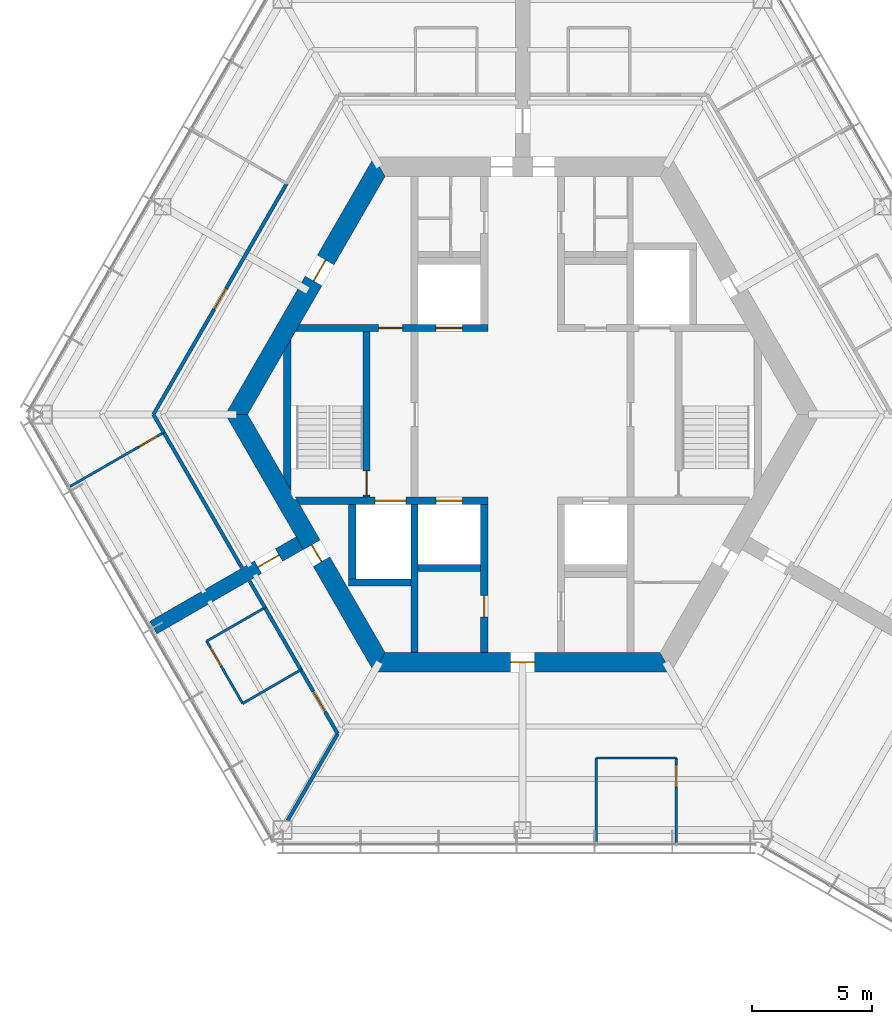
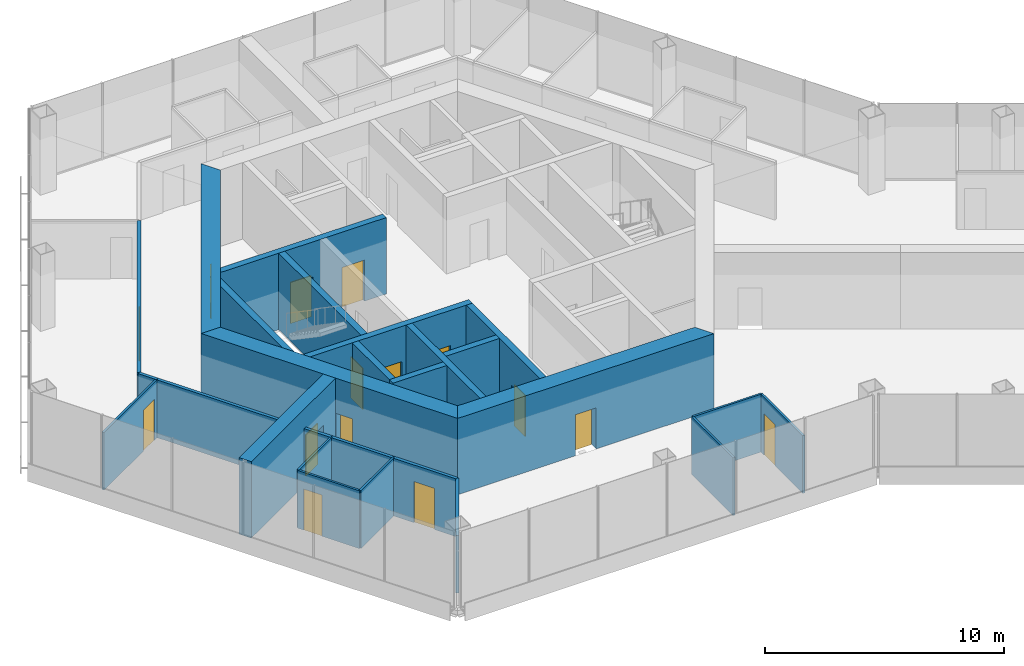
# One storey, part 10 of 15: 27 walls, 15 doors, 15 openings.
"""IFC4 building model written with IfcOpenShell, lengths in metres."""

from ifc_helpers import new_model, si_unit, direction, frame, frame_2d, origin, place, context, subcontext, project, spatial, polyline, rectangle, outline, extrude, material, layer, layer_set, type_object, element, fill, save


model = new_model("IFC4")

# Units and contexts
model_context = context("Model", 3, precision=1e-05, world=origin(), true_north=direction((0.0, 1.0)))
body_context = subcontext(model_context, "Body", "Model", "MODEL_VIEW")
ifc_project = project(units=[si_unit("LENGTHUNIT", "METRE"), si_unit("AREAUNIT", "SQUARE_METRE"), si_unit("VOLUMEUNIT", "CUBIC_METRE"), si_unit("PLANEANGLEUNIT", "RADIAN"), si_unit("MASSUNIT", "GRAM", prefix="KILO")], contexts=[model_context])

# Site, building, storey
site_placement = place(None, origin())
site = spatial("IfcSite", under=ifc_project, at=site_placement, CompositionType="ELEMENT")
building_placement = place(site_placement, origin())
building = spatial("IfcBuilding", under=site, at=building_placement, Name="Kasaneha Research Tower", CompositionType="ELEMENT")
storey_placement = place(building_placement, frame((0.0, 0.0, 236.199951171875)))
storey = spatial("IfcBuildingStorey", under=building, at=storey_placement, Name="L59", CompositionType="ELEMENT", Elevation=236.199951171875)

# Wall, openings, doors
ifc_material_1 = material(Name="Concrete Fc60", Category="concrete")
ifc_layer_1 = layer(ifc_material_1, 0.300048828125)
ifc_layer_set_1 = layer_set([ifc_layer_1], Name="Core internal wall 300 Fc60")
wall_type_1 = type_object("IfcWallType", Name="Core internal wall 300 Fc60", PredefinedType="SHEAR", material=ifc_layer_set_1)
wall_1_placement = place(storey_placement, frame((-9.3818359375, 3.60009765625, 0.0), z_axis=(0.0, 0.0, 1.0), x_axis=(1.0, 0.0, 0.0)))
wall_1 = element("IfcWall", 1, at=wall_1_placement, inside=storey, type_object=wall_type_1, Name="Core wall W1W L59", PredefinedType="SHEAR", context=body_context, shape_type="SweptSolid", body=[
    extrude(outline(polyline([(-0.086669921875, -0.14990234375), (3.3818359375, -0.14990234375), (4.3818359375, -0.14990234375), (5.781982421875, -0.14990234375), (6.882080078125, -0.14990234375), (7.931884765625, -0.14990234375), (7.931884765625, 0.14990234375), (6.882080078125, 0.14990234375), (5.781982421875, 0.14990234375), (4.3818359375, 0.14990234375), (3.3818359375, 0.14990234375), (0.086669921875, 0.14990234375), (-0.086669921875, -0.14990234375)])), origin(), (0.0, 0.0, 1.0), 3.900146484375),
])
opening_1_placement = place(wall_1_placement, frame((3.3818359375, 0.0, 0.0)))
opening_1 = element("IfcOpeningElement", 2, at=opening_1_placement, cuts=wall_1, Name="Opening L59-D12", PredefinedType="OPENING", context=body_context, shape_type="SweptSolid", body=[
    extrude(rectangle(XDim=1.0, YDim=2.10009765625, at=frame_2d((0.5, 1.050048828125))), frame((0.0, 0.16015625, 0.0), z_axis=(0.0, -1.0, 0.0), x_axis=(1.0, 0.0, 0.0)), (0.0, 0.0, 1.0), 0.320068359375),
])
opening_2_placement = place(wall_1_placement, frame((5.781982421875, 0.0, 0.0)))
opening_2 = element("IfcOpeningElement", 3, at=opening_2_placement, cuts=wall_1, Name="Opening LD-LH2-L59", PredefinedType="OPENING", context=body_context, shape_type="SweptSolid", body=[
    extrude(rectangle(XDim=1.10009765625, YDim=2.10009765625, at=frame_2d((0.550048828125, 1.050048828125))), frame((0.0, 0.16015625, 0.0), z_axis=(0.0, -1.0, 0.0), x_axis=(1.0, 0.0, 0.0)), (0.0, 0.0, 1.0), 0.320068359375),
])
ifc_material_2 = material(Name="Steel", Category="steel")
door_type_1 = type_object("IfcDoorType", Name="Lift landing door 1100x2100", OperationType="DOUBLE_DOOR_SLIDING", PredefinedType="DOOR", material=ifc_material_2)
door_1_placement = place(opening_2_placement, origin())
door_1 = element("IfcDoor", 4, at=door_1_placement, inside=storey, type_object=door_type_1, Name="Landing door LH2 LD-LH2-L59", OperationType="DOUBLE_DOOR_SLIDING", OverallHeight=2.10009765625, OverallWidth=1.10009765625, PredefinedType="DOOR", context=body_context, shape_type="SweptSolid", body=[
    extrude(rectangle(XDim=1.10009765625, YDim=2.10009765625, at=frame_2d((0.550048828125, 1.050048828125))), frame((0.0, 0.02490234375, 0.0), z_axis=(0.0, -1.0, 0.0), x_axis=(1.0, 0.0, 0.0)), (0.0, 0.0, 1.0), 0.050048828125),
])
fill(opening_2, door_1)
ifc_material_3 = material(Name="Steel", Category="steel")
door_type_2 = type_object("IfcDoorType", Name="Specified fire door FD60 1000x2100", OperationType="NOTDEFINED", PredefinedType="DOOR", material=ifc_material_3)
door_2_placement = place(opening_1_placement, origin())
door_2 = element("IfcDoor", 5, at=door_2_placement, inside=storey, type_object=door_type_2, Name="Vestibule to lobby door L59-D12", OperationType="SINGLE_SWING_LEFT", OverallHeight=2.10009765625, OverallWidth=1.0, PredefinedType="DOOR", context=body_context, shape_type="SweptSolid", body=[
    extrude(rectangle(XDim=1.0, YDim=2.10009765625, at=frame_2d((0.5, 1.050048828125))), frame((0.0, 0.02490234375, 0.0), z_axis=(0.0, -1.0, 0.0), x_axis=(1.0, 0.0, 0.0)), (0.0, 0.0, 1.0), 0.050048828125),
])
fill(opening_1, door_2)

wall_2_placement = place(storey_placement, frame((-9.3818359375, -3.60009765625, 0.0), z_axis=(0.0, 0.0, 1.0), x_axis=(1.0, 0.0, 0.0)))
wall_2 = element("IfcWall", 6, at=wall_2_placement, inside=storey, type_object=wall_type_1, Name="Core wall W2W L59", PredefinedType="SHEAR", context=body_context, shape_type="SweptSolid", body=[
    extrude(outline(polyline([(0.086669921875, -0.14990234375), (3.23193359375, -0.14990234375), (4.531982421875, -0.14990234375), (5.781982421875, -0.14990234375), (6.882080078125, -0.14990234375), (7.931884765625, -0.14990234375), (7.931884765625, 0.14990234375), (6.882080078125, 0.14990234375), (5.781982421875, 0.14990234375), (4.531982421875, 0.14990234375), (3.23193359375, 0.14990234375), (-0.086669921875, 0.14990234375), (0.086669921875, -0.14990234375)])), origin(), (0.0, 0.0, 1.0), 3.900146484375),
])
opening_3_placement = place(wall_2_placement, frame((5.781982421875, 0.0, 0.0)))
opening_3 = element("IfcOpeningElement", 7, at=opening_3_placement, cuts=wall_2, Name="Opening LD-LH1-L59", PredefinedType="OPENING", context=body_context, shape_type="SweptSolid", body=[
    extrude(rectangle(XDim=1.10009765625, YDim=2.10009765625, at=frame_2d((0.550048828125, 1.050048828125))), frame((0.0, 0.16015625, 0.0), z_axis=(0.0, -1.0, 0.0), x_axis=(1.0, 0.0, 0.0)), (0.0, 0.0, 1.0), 0.320068359375),
])
opening_4_placement = place(wall_2_placement, frame((3.23193359375, 0.0, 0.0)))
opening_4 = element("IfcOpeningElement", 8, at=opening_4_placement, cuts=wall_2, Name="Opening LD-FL2-L59", PredefinedType="OPENING", context=body_context, shape_type="SweptSolid", body=[
    extrude(rectangle(XDim=1.300048828125, YDim=2.10009765625, at=frame_2d((0.64990234375, 1.050048828125))), frame((0.0, 0.16015625, 0.0), z_axis=(0.0, -1.0, 0.0), x_axis=(1.0, 0.0, 0.0)), (0.0, 0.0, 1.0), 0.320068359375),
])
door_3_placement = place(opening_3_placement, origin())
door_3 = element("IfcDoor", 9, at=door_3_placement, inside=storey, type_object=door_type_1, Name="Landing door LH1 LD-LH1-L59", OperationType="DOUBLE_DOOR_SLIDING", OverallHeight=2.10009765625, OverallWidth=1.10009765625, PredefinedType="DOOR", context=body_context, shape_type="SweptSolid", body=[
    extrude(rectangle(XDim=1.10009765625, YDim=2.10009765625, at=frame_2d((0.550048828125, 1.050048828125))), frame((0.0, 0.02490234375, 0.0), z_axis=(0.0, -1.0, 0.0), x_axis=(1.0, 0.0, 0.0)), (0.0, 0.0, 1.0), 0.050048828125),
])
fill(opening_3, door_3)
ifc_material_4 = material(Name="Steel", Category="steel")
door_type_3 = type_object("IfcDoorType", Name="Lift landing door 1300x2100", OperationType="DOUBLE_DOOR_SLIDING", PredefinedType="DOOR", material=ifc_material_4)
door_4_placement = place(opening_4_placement, origin())
door_4 = element("IfcDoor", 10, at=door_4_placement, inside=storey, type_object=door_type_3, Name="Landing door FL2 LD-FL2-L59", OperationType="DOUBLE_DOOR_SLIDING", OverallHeight=2.10009765625, OverallWidth=1.300048828125, PredefinedType="DOOR", context=body_context, shape_type="SweptSolid", body=[
    extrude(rectangle(XDim=1.300048828125, YDim=2.10009765625, at=frame_2d((0.64990234375, 1.050048828125))), frame((0.0, 0.02490234375, 0.0), z_axis=(0.0, -1.0, 0.0), x_axis=(1.0, 0.0, 0.0)), (0.0, 0.0, 1.0), 0.050048828125),
])
fill(opening_4, door_4)

# Wall, opening, door
wall_3_placement = place(storey_placement, frame((-1.60009765625, -3.75, 0.0), z_axis=(0.0, 0.0, 1.0), x_axis=(0.0, -1.0, 0.0)))
wall_3 = element("IfcWall", 11, at=wall_3_placement, inside=storey, type_object=wall_type_1, Name="Core wall CSW L59", PredefinedType="SHEAR", context=body_context, shape_type="SweptSolid", body=[
    extrude(rectangle(XDim=6.175048828125, YDim=0.300048828125, at=frame_2d((3.08740234375, 0.0))), origin(), (0.0, 0.0, 1.0), 3.900146484375),
])
opening_5_placement = place(wall_3_placement, frame((3.800048828125, 0.0, 0.0)))
opening_5 = element("IfcOpeningElement", 12, at=opening_5_placement, cuts=wall_3, Name="Opening L59-D16", PredefinedType="OPENING", context=body_context, shape_type="SweptSolid", body=[
    extrude(rectangle(XDim=0.89990234375, YDim=2.10009765625, at=frame_2d((0.449951171875, 1.050048828125))), frame((0.0, 0.16015625, 0.0), z_axis=(0.0, -1.0, 0.0), x_axis=(1.0, 0.0, 0.0)), (0.0, 0.0, 1.0), 0.320068359375),
])
ifc_material_5 = material(Name="Steel", Category="steel")
door_type_4 = type_object("IfcDoorType", Name="Riser access door FD60 900x2100", OperationType="NOTDEFINED", PredefinedType="DOOR", material=ifc_material_5)
door_5_placement = place(opening_5_placement, origin())
door_5 = element("IfcDoor", 13, at=door_5_placement, inside=storey, type_object=door_type_4, Name="Electrical riser door L59-D16", OperationType="SINGLE_SWING_LEFT", OverallHeight=2.10009765625, OverallWidth=0.89990234375, PredefinedType="DOOR", context=body_context, shape_type="SweptSolid", body=[
    extrude(rectangle(XDim=0.89990234375, YDim=2.10009765625, at=frame_2d((0.449951171875, 1.050048828125))), frame((0.0, 0.02490234375, 0.0), z_axis=(0.0, -1.0, 0.0), x_axis=(1.0, 0.0, 0.0)), (0.0, 0.0, 1.0), 0.050048828125),
])
fill(opening_5, door_5)

wall_4_placement = place(storey_placement, frame((-6.5, -3.449951171875, 0.0), z_axis=(0.0, 0.0, 1.0), x_axis=(0.0, 1.0, 0.0)))
wall_4 = element("IfcWall", 14, at=wall_4_placement, inside=storey, type_object=wall_type_1, Name="Core wall ANW L59", PredefinedType="SHEAR", context=body_context, shape_type="SweptSolid", body=[
    extrude(rectangle(XDim=6.89990234375, YDim=0.300048828125, at=frame_2d((3.449951171875, 0.0))), origin(), (0.0, 0.0, 1.0), 3.900146484375),
])
opening_6_placement = place(wall_4_placement, frame((0.10009765625, 0.0, 0.0)))
opening_6 = element("IfcOpeningElement", 15, at=opening_6_placement, cuts=wall_4, Name="Opening L59-D11", PredefinedType="OPENING", context=body_context, shape_type="SweptSolid", body=[
    extrude(rectangle(XDim=1.0, YDim=2.10009765625, at=frame_2d((0.5, 1.050048828125))), frame((0.0, 0.16015625, 0.0), z_axis=(0.0, -1.0, 0.0), x_axis=(1.0, 0.0, 0.0)), (0.0, 0.0, 1.0), 0.320068359375),
])
door_6_placement = place(opening_6_placement, origin())
door_6 = element("IfcDoor", 16, at=door_6_placement, inside=storey, type_object=door_type_2, Name="Stair 2 door L59-D11", OperationType="SINGLE_SWING_LEFT", OverallHeight=2.10009765625, OverallWidth=1.0, PredefinedType="DOOR", context=body_context, shape_type="SweptSolid", body=[
    extrude(rectangle(XDim=1.0, YDim=2.10009765625, at=frame_2d((0.5, 1.050048828125))), frame((0.0, 0.02490234375, 0.0), z_axis=(0.0, -1.0, 0.0), x_axis=(1.0, 0.0, 0.0)), (0.0, 0.0, 1.0), 0.050048828125),
])
fill(opening_6, door_6)

# Walls
wall_5_placement = place(storey_placement, frame((-4.5, -3.75, 0.0), z_axis=(0.0, 0.0, 1.0), x_axis=(0.0, -1.0, 0.0)))
element("IfcWall", 17, at=wall_5_placement, inside=storey, type_object=wall_type_1, Name="Core wall SSW L59", PredefinedType="SHEAR", context=body_context, shape_type="SweptSolid", body=[
    extrude(rectangle(XDim=6.175048828125, YDim=0.300048828125, at=frame_2d((3.08740234375, 0.0))), origin(), (0.0, 0.0, 1.0), 3.900146484375),
])
for number, where, z_axis, x_axis, name in (
    (18, (-4.35009765625, -6.39990234375, 0.0), (0.0, 0.0, 1.0), (1.0, 0.0, 0.0), "Core wall S1S L59"),
    (19, (-7.25, -7.0, 0.0), (0.0, 0.0, 1.0), (1.0, 0.0, 0.0), "Core wall F2S L59"),
):
    element("IfcWall", number, at=place(storey_placement, frame(where, z_axis=z_axis, x_axis=x_axis)), inside=storey, type_object=wall_type_1, Name=name, PredefinedType="SHEAR", context=body_context, shape_type="SweptSolid", body=[
        extrude(rectangle(XDim=2.60009765625, YDim=0.300048828125, at=frame_2d((1.300048828125, 0.0))), origin(), (0.0, 0.0, 1.0), 3.900146484375),
    ])
wall_6_placement = place(storey_placement, frame((-7.10009765625, -3.75, 0.0), z_axis=(0.0, 0.0, 1.0), x_axis=(0.0, -1.0, 0.0)))
element("IfcWall", 20, at=wall_6_placement, inside=storey, type_object=wall_type_1, Name="Core wall F2W L59", PredefinedType="SHEAR", context=body_context, shape_type="SweptSolid", body=[
    extrude(rectangle(XDim=3.10009765625, YDim=0.300048828125, at=frame_2d((1.550048828125, 0.0))), origin(), (0.0, 0.0, 1.0), 3.900146484375),
])
wall_7_placement = place(storey_placement, frame((-9.807861328125, -2.8623046875, 0.0), z_axis=(0.0, 0.0, 1.0), x_axis=(0.0, 1.0, 0.0)))
element("IfcWall", 21, at=wall_7_placement, inside=storey, type_object=wall_type_1, Name="Core wall STW L59", PredefinedType="SHEAR", context=body_context, shape_type="SweptSolid", body=[
    extrude(outline(polyline([(-0.259765625, -0.14990234375), (5.984375, -0.14990234375), (5.46484375, 0.14990234375), (0.259765625, 0.14990234375), (-0.259765625, -0.14990234375)])), origin(), (0.0, 0.0, 1.0), 3.900146484375),
])

# Wall, opening, door
ifc_material_6 = material(Name="Concrete Fc60", Category="concrete")
ifc_layer_2 = layer(ifc_material_6, 0.800048828125)
ifc_layer_set_2 = layer_set([ifc_layer_2], Name="Core wall 800 Fc60")
wall_type_2 = type_object("IfcWallType", Name="Core wall 800 Fc60", PredefinedType="SHEAR", material=ifc_layer_set_2)
wall_8_placement = place(storey_placement, frame((-5.961181640625, 10.324951171875, 0.0), z_axis=(0.0, 0.0, 1.0), x_axis=(-0.500004296715, -0.866022923061, 0.0)))
wall_8 = element("IfcWall", 22, at=wall_8_placement, inside=storey, type_object=wall_type_2, Name="Core wall 150 L59", PredefinedType="SHEAR", context=body_context, shape_type="SweptSolid", body=[
    extrude(outline(polyline([(-0.23095703125, -0.39990234375), (4.494140625, -0.39990234375), (5.494140625, -0.39990234375), (12.1533203125, -0.39990234375), (11.69140625, 0.39990234375), (5.494140625, 0.39990234375), (4.494140625, 0.39990234375), (0.23095703125, 0.39990234375), (-0.23095703125, -0.39990234375)])), origin(), (0.0, 0.0, 1.0), 3.900146484375),
])
opening_7_placement = place(wall_8_placement, frame((4.494140625, 0.0, 0.0)))
opening_7 = element("IfcOpeningElement", 23, at=opening_7_placement, cuts=wall_8, Name="Opening L59-D07", PredefinedType="OPENING", context=body_context, shape_type="SweptSolid", body=[
    extrude(rectangle(XDim=1.0, YDim=2.10009765625, at=frame_2d((0.5, 1.050048828125))), frame((0.0, 0.41015625, 0.0), z_axis=(0.0, -1.0, 0.0), x_axis=(1.0, 0.0, 0.0)), (0.0, 0.0, 1.0), 0.820068359375),
])
ifc_material_7 = material(Name="Steel", Category="steel")
door_type_5 = type_object("IfcDoorType", Name="Fire door FD20 1000x2100", OperationType="NOTDEFINED", PredefinedType="DOOR", material=ifc_material_7)
door_7_placement = place(opening_7_placement, origin())
door_7 = element("IfcDoor", 24, at=door_7_placement, inside=storey, type_object=door_type_5, Name="Vestibule door L59-D07", OperationType="SINGLE_SWING_LEFT", OverallHeight=2.10009765625, OverallWidth=1.0, PredefinedType="DOOR", context=body_context, shape_type="SweptSolid", body=[
    extrude(rectangle(XDim=1.0, YDim=2.10009765625, at=frame_2d((0.5, 1.050048828125))), frame((0.0, 0.02490234375, 0.0), z_axis=(0.0, -1.0, 0.0), x_axis=(1.0, 0.0, 0.0)), (0.0, 0.0, 1.0), 0.050048828125),
])
fill(opening_7, door_7)

wall_9_placement = place(storey_placement, frame((-11.92236328125, 0.0, 0.0), z_axis=(0.0, 0.0, 1.0), x_axis=(0.500004296715, -0.866022923061, 0.0)))
wall_9 = element("IfcWall", 25, at=wall_9_placement, inside=storey, type_object=wall_type_2, Name="Core wall 210 L59", PredefinedType="SHEAR", context=body_context, shape_type="SweptSolid", body=[
    extrude(outline(polyline([(-0.23095703125, -0.39990234375), (6.28125, -0.39990234375), (7.081298828125, -0.39990234375), (12.1533203125, -0.39990234375), (11.69140625, 0.39990234375), (7.081298828125, 0.39990234375), (6.28125, 0.39990234375), (0.23095703125, 0.39990234375), (-0.23095703125, -0.39990234375)])), origin(), (0.0, 0.0, 1.0), 3.900146484375),
])
opening_8_placement = place(wall_9_placement, frame((6.28125, 0.0, 0.0)))
opening_8 = element("IfcOpeningElement", 26, at=opening_8_placement, cuts=wall_9, Name="Opening L59-D06", PredefinedType="OPENING", context=body_context, shape_type="SweptSolid", body=[
    extrude(rectangle(XDim=0.800048828125, YDim=2.10009765625, at=frame_2d((0.39990234375, 1.050048828125))), frame((0.0, 0.41015625, 0.0), z_axis=(0.0, -1.0, 0.0), x_axis=(1.0, 0.0, 0.0)), (0.0, 0.0, 1.0), 0.820068359375),
])
ifc_material_8 = material(Name="Steel", Category="steel")
door_type_6 = type_object("IfcDoorType", Name="Riser access door FD60 800x2100", OperationType="NOTDEFINED", PredefinedType="DOOR", material=ifc_material_8)
door_8_placement = place(opening_8_placement, origin())
door_8 = element("IfcDoor", 27, at=door_8_placement, inside=storey, type_object=door_type_6, Name="Duct riser door L59-D06", OperationType="SINGLE_SWING_RIGHT", OverallHeight=2.10009765625, OverallWidth=0.800048828125, PredefinedType="DOOR", context=body_context, shape_type="SweptSolid", body=[
    extrude(rectangle(XDim=0.800048828125, YDim=2.10009765625, at=frame_2d((0.39990234375, 1.050048828125))), frame((0.0, 0.02490234375, 0.0), z_axis=(0.0, -1.0, 0.0), x_axis=(1.0, 0.0, 0.0)), (0.0, 0.0, 1.0), 0.050048828125),
])
fill(opening_8, door_8)

wall_10_placement = place(storey_placement, frame((-5.961181640625, -10.324951171875, 0.0), z_axis=(0.0, 0.0, 1.0), x_axis=(1.0, 0.0, 0.0)))
wall_10 = element("IfcWall", 28, at=wall_10_placement, inside=storey, type_object=wall_type_2, Name="Core wall 270 L59", PredefinedType="SHEAR", context=body_context, shape_type="SweptSolid", body=[
    extrude(outline(polyline([(-0.23095703125, -0.39990234375), (5.461181640625, -0.39990234375), (6.461181640625, -0.39990234375), (12.1533203125, -0.39990234375), (11.69140625, 0.39990234375), (6.461181640625, 0.39990234375), (5.461181640625, 0.39990234375), (0.23095703125, 0.39990234375), (-0.23095703125, -0.39990234375)])), origin(), (0.0, 0.0, 1.0), 3.900146484375),
])
opening_9_placement = place(wall_10_placement, frame((5.461181640625, 0.0, 0.0)))
opening_9 = element("IfcOpeningElement", 29, at=opening_9_placement, cuts=wall_10, Name="Opening L59-D03", PredefinedType="OPENING", context=body_context, shape_type="SweptSolid", body=[
    extrude(rectangle(XDim=1.0, YDim=2.10009765625, at=frame_2d((0.5, 1.050048828125))), frame((0.0, 0.41015625, 0.0), z_axis=(0.0, -1.0, 0.0), x_axis=(1.0, 0.0, 0.0)), (0.0, 0.0, 1.0), 0.820068359375),
])
door_9_placement = place(opening_9_placement, origin())
door_9 = element("IfcDoor", 30, at=door_9_placement, inside=storey, type_object=door_type_5, Name="Core door south L59-D03", OperationType="SINGLE_SWING_LEFT", OverallHeight=2.10009765625, OverallWidth=1.0, PredefinedType="DOOR", context=body_context, shape_type="SweptSolid", body=[
    extrude(rectangle(XDim=1.0, YDim=2.10009765625, at=frame_2d((0.5, 1.050048828125))), frame((0.0, 0.02490234375, 0.0), z_axis=(0.0, -1.0, 0.0), x_axis=(1.0, 0.0, 0.0)), (0.0, 0.0, 1.0), 0.050048828125),
])
fill(opening_9, door_9)

ifc_material_9 = material(Name="Gypsum board on steel studs, one layer each side", Category="steel")
ifc_layer_3 = layer(ifc_material_9, 0.10009765625)
ifc_layer_set_3 = layer_set([ifc_layer_3], Name="Office partition 100")
wall_type_3 = type_object("IfcWallType", Name="Office partition 100", PredefinedType="PARTITIONING", material=ifc_layer_set_3)
wall_11_placement = place(storey_placement, frame((-18.857177734375, -2.99951171875, 0.0), z_axis=(0.0, 0.0, 1.0), x_axis=(0.866517357236, 0.4991469419, 0.0)))
wall_11 = element("IfcWall", 31, at=wall_11_placement, inside=storey, type_object=wall_type_3, Name="Office partition FBN05 L59", PredefinedType="PARTITIONING", context=body_context, shape_type="SweptSolid", body=[
    extrude(rectangle(XDim=4.505615234375, YDim=0.10009765625, at=frame_2d((2.2529296875, 0.0))), origin(), (0.0, 0.0, 1.0), 2.949951171875),
])
opening_10_placement = place(wall_11_placement, frame((3.3056640625, 0.0, 0.0)))
opening_10 = element("IfcOpeningElement", 32, at=opening_10_placement, cuts=wall_11, Name="Opening L59-D34", PredefinedType="OPENING", context=body_context, shape_type="SweptSolid", body=[
    extrude(rectangle(XDim=0.89990234375, YDim=2.10009765625, at=frame_2d((0.449951171875, 1.050048828125))), frame((0.0, 0.06005859375, 0.0), z_axis=(0.0, -1.0, 0.0), x_axis=(1.0, 0.0, 0.0)), (0.0, 0.0, 1.0), 0.1201171875),
])
ifc_material_10 = material(Name="Timber veneer", Category="wood")
door_type_7 = type_object("IfcDoorType", Name="Office door 900x2100", OperationType="SINGLE_SWING_LEFT", PredefinedType="DOOR", material=ifc_material_10)
door_10_placement = place(opening_10_placement, origin())
door_10 = element("IfcDoor", 33, at=door_10_placement, inside=storey, type_object=door_type_7, Name="Meeting room door L59-D34", OperationType="SINGLE_SWING_RIGHT", OverallHeight=2.10009765625, OverallWidth=0.89990234375, PredefinedType="DOOR", context=body_context, shape_type="SweptSolid", body=[
    extrude(rectangle(XDim=0.89990234375, YDim=2.10009765625, at=frame_2d((0.449951171875, 1.050048828125))), frame((0.0, 0.02490234375, 0.0), z_axis=(0.0, -1.0, 0.0), x_axis=(1.0, 0.0, 0.0)), (0.0, 0.0, 1.0), 0.050048828125),
])
fill(opening_10, door_10)

# Wall
wall_12_placement = place(storey_placement, frame((-13.164794921875, -9.447998046875, 0.0), z_axis=(0.0, 0.0, 1.0), x_axis=(0.866855433567, 0.498559582492, 0.0)))
element("IfcWall", 34, at=wall_12_placement, inside=storey, type_object=wall_type_3, Name="Office partition FBS04 L59", PredefinedType="PARTITIONING", context=body_context, shape_type="SweptSolid", body=[
    extrude(rectangle(XDim=2.800048828125, YDim=0.10009765625, at=frame_2d((1.39990234375, 0.0))), origin(), (0.0, 0.0, 1.0), 2.949951171875),
])

# Wall, opening, door
wall_13_placement = place(storey_placement, frame((-11.664794921875, -12.046142578125, 0.0), z_axis=(0.0, 0.0, 1.0), x_axis=(-0.499990139034, 0.866031096941, 0.0)))
wall_13 = element("IfcWall", 35, at=wall_13_placement, inside=storey, type_object=wall_type_3, Name="Office partition FBS05 L59", PredefinedType="PARTITIONING", context=body_context, shape_type="SweptSolid", body=[
    extrude(rectangle(XDim=3.0, YDim=0.10009765625, at=frame_2d((1.5, 0.0))), origin(), (0.0, 0.0, 1.0), 2.949951171875),
])
opening_11_placement = place(wall_13_placement, frame((1.800048828125, 0.0, 0.0)))
opening_11 = element("IfcOpeningElement", 36, at=opening_11_placement, cuts=wall_13, Name="Opening L59-D37", PredefinedType="OPENING", context=body_context, shape_type="SweptSolid", body=[
    extrude(rectangle(XDim=0.89990234375, YDim=2.10009765625, at=frame_2d((0.449951171875, 1.050048828125))), frame((0.0, 0.06005859375, 0.0), z_axis=(0.0, -1.0, 0.0), x_axis=(1.0, 0.0, 0.0)), (0.0, 0.0, 1.0), 0.1201171875),
])
door_11_placement = place(opening_11_placement, origin())
door_11 = element("IfcDoor", 37, at=door_11_placement, inside=storey, type_object=door_type_7, Name="Pantry door L59-D37", OperationType="SINGLE_SWING_RIGHT", OverallHeight=2.10009765625, OverallWidth=0.89990234375, PredefinedType="DOOR", context=body_context, shape_type="SweptSolid", body=[
    extrude(rectangle(XDim=0.89990234375, YDim=2.10009765625, at=frame_2d((0.449951171875, 1.050048828125))), frame((0.0, 0.02490234375, 0.0), z_axis=(0.0, -1.0, 0.0), x_axis=(1.0, 0.0, 0.0)), (0.0, 0.0, 1.0), 0.050048828125),
])
fill(opening_11, door_11)

# Walls
wall_14_placement = place(storey_placement, frame((-9.241943359375, -10.642333984375, 0.0), z_axis=(0.0, 0.0, 1.0), x_axis=(-0.865255114713, -0.501331812737, 0.0)))
element("IfcWall", 38, at=wall_14_placement, inside=storey, type_object=wall_type_3, Name="Office partition FBS06 L59", PredefinedType="PARTITIONING", context=body_context, shape_type="SweptSolid", body=[
    extrude(rectangle(XDim=2.800048828125, YDim=0.10009765625, at=frame_2d((1.39990234375, 0.0))), origin(), (0.0, 0.0, 1.0), 2.949951171875),
])
wall_15_placement = place(storey_placement, frame((3.077392578125, -17.800537109375, 0.0), z_axis=(0.0, 0.0, 1.0), x_axis=(0.0, 1.0, 0.0)))
element("IfcWall", 39, at=wall_15_placement, inside=storey, type_object=wall_type_3, Name="Office partition FCS03 L59", PredefinedType="PARTITIONING", context=body_context, shape_type="SweptSolid", body=[
    extrude(rectangle(XDim=3.47998046875, YDim=0.10009765625, at=frame_2d((1.739990234375, 0.0))), origin(), (0.0, 0.0, 1.0), 2.949951171875),
])
wall_16_placement = place(storey_placement, frame((3.077392578125, -14.320556640625, 0.0), z_axis=(0.0, 0.0, 1.0), x_axis=(1.0, 0.0, 0.0)))
element("IfcWall", 40, at=wall_16_placement, inside=storey, type_object=wall_type_3, Name="Office partition FCS04 L59", PredefinedType="PARTITIONING", context=body_context, shape_type="SweptSolid", body=[
    extrude(rectangle(XDim=3.330810546875, YDim=0.10009765625, at=frame_2d((1.66552734375, 0.0))), origin(), (0.0, 0.0, 1.0), 2.949951171875),
])

# Wall, opening, door
wall_17_placement = place(storey_placement, frame((6.408203125, -14.320556640625, 0.0), z_axis=(0.0, 0.0, 1.0), x_axis=(0.0, -1.0, 0.0)))
wall_17 = element("IfcWall", 41, at=wall_17_placement, inside=storey, type_object=wall_type_3, Name="Office partition FCS05 L59", PredefinedType="PARTITIONING", context=body_context, shape_type="SweptSolid", body=[
    extrude(rectangle(XDim=3.534912109375, YDim=0.10009765625, at=frame_2d((1.767578125, 0.0))), origin(), (0.0, 0.0, 1.0), 2.949951171875),
])
opening_12_placement = place(wall_17_placement, frame((0.300048828125, 0.0, 0.0)))
opening_12 = element("IfcOpeningElement", 42, at=opening_12_placement, cuts=wall_17, Name="Opening L59-D40", PredefinedType="OPENING", context=body_context, shape_type="SweptSolid", body=[
    extrude(rectangle(XDim=0.89990234375, YDim=2.10009765625, at=frame_2d((0.449951171875, 1.050048828125))), frame((0.0, 0.06005859375, 0.0), z_axis=(0.0, -1.0, 0.0), x_axis=(1.0, 0.0, 0.0)), (0.0, 0.0, 1.0), 0.1201171875),
])
door_12_placement = place(opening_12_placement, origin())
door_12 = element("IfcDoor", 43, at=door_12_placement, inside=storey, type_object=door_type_7, Name="Meeting room door L59-D40", OperationType="SINGLE_SWING_LEFT", OverallHeight=2.10009765625, OverallWidth=0.89990234375, PredefinedType="DOOR", context=body_context, shape_type="SweptSolid", body=[
    extrude(rectangle(XDim=0.89990234375, YDim=2.10009765625, at=frame_2d((0.449951171875, 1.050048828125))), frame((0.0, 0.02490234375, 0.0), z_axis=(0.0, -1.0, 0.0), x_axis=(1.0, 0.0, 0.0)), (0.0, 0.0, 1.0), 0.050048828125),
])
fill(opening_12, door_12)

ifc_material_11 = material(Name="Concrete Fc60", Category="concrete")
ifc_layer_4 = layer(ifc_material_11, 0.60009765625)
ifc_layer_set_4 = layer_set([ifc_layer_4], Name="Spine wall 600 Fc60")
wall_type_4 = type_object("IfcWallType", Name="Spine wall 600 Fc60", PredefinedType="SHEAR", material=ifc_layer_set_4)
wall_18_placement = place(storey_placement, frame((-9.2880859375, -5.362548828125, 0.0), z_axis=(0.0, 0.0, 1.0), x_axis=(-0.866027473358, -0.499996415376, 0.0)))
wall_18 = element("IfcWall", 44, at=wall_18_placement, inside=storey, type_object=wall_type_4, Name="Spine wall B L59", PredefinedType="SHEAR", context=body_context, shape_type="SweptSolid", body=[
    extrude(rectangle(XDim=7.04541015625, YDim=0.60009765625, at=frame_2d((3.522705078125, 0.0))), origin(), (0.0, 0.0, 1.0), 3.900146484375),
])
opening_13_placement = place(wall_18_placement, frame((1.0, 0.0, 0.0)))
opening_13 = element("IfcOpeningElement", 45, at=opening_13_placement, cuts=wall_18, Name="Opening L59-D19", PredefinedType="OPENING", context=body_context, shape_type="SweptSolid", body=[
    extrude(rectangle(XDim=1.0, YDim=2.10009765625, at=frame_2d((0.5, 1.050048828125))), frame((0.0, 0.31005859375, 0.0), z_axis=(0.0, -1.0, 0.0), x_axis=(1.0, 0.0, 0.0)), (0.0, 0.0, 1.0), 0.6201171875),
])
door_13_placement = place(opening_13_placement, origin())
door_13 = element("IfcDoor", 46, at=door_13_placement, inside=storey, type_object=door_type_2, Name="Spine doorway B L59-D19", OperationType="SINGLE_SWING_LEFT", OverallHeight=2.10009765625, OverallWidth=1.0, PredefinedType="DOOR", context=body_context, shape_type="SweptSolid", body=[
    extrude(rectangle(XDim=1.0, YDim=2.10009765625, at=frame_2d((0.5, 1.050048828125))), frame((0.0, 0.02490234375, 0.0), z_axis=(0.0, -1.0, 0.0), x_axis=(1.0, 0.0, 0.0)), (0.0, 0.0, 1.0), 0.050048828125),
])
fill(opening_13, door_13)

# Wall
ifc_material_12 = material(Name="Gypsum board on steel studs, two layers each side", Category="steel")
ifc_layer_5 = layer(ifc_material_12, 0.14990234375)
ifc_layer_set_5 = layer_set([ifc_layer_5], Name="Suite partition 150")
wall_type_5 = type_object("IfcWallType", Name="Suite partition 150", PredefinedType="PARTITIONING", material=ifc_layer_set_5)
wall_19_placement = place(storey_placement, frame((-11.69970703125, -6.385498046875, 0.0), z_axis=(0.0, 0.0, 1.0), x_axis=(-0.500003537243, 0.866023361547, 0.0)))
element("IfcWall", 47, at=wall_19_placement, inside=storey, type_object=wall_type_5, Name="Suite partition FBN01 L59", PredefinedType="PARTITIONING", context=body_context, shape_type="SweptSolid", body=[
    extrude(rectangle(XDim=6.51611328125, YDim=0.14990234375, at=frame_2d((3.258056640625, 0.0))), origin(), (0.0, 0.0, 1.0), 2.949951171875),
])

# Wall, opening, door
wall_20_placement = place(storey_placement, frame((-15.386474609375, 0.0, 0.0), z_axis=(0.0, 0.0, 1.0), x_axis=(0.50000453164, 0.866022787425, 0.0)))
wall_20 = element("IfcWall", 48, at=wall_20_placement, inside=storey, type_object=wall_type_5, Name="Suite partition FBN03 L59", PredefinedType="PARTITIONING", context=body_context, shape_type="SweptSolid", body=[
    extrude(rectangle(XDim=11.11328125, YDim=0.14990234375, at=frame_2d((5.556640625, 0.0))), origin(), (0.0, 0.0, 1.0), 2.949951171875),
])
opening_14_placement = place(wall_20_placement, frame((5.056640625, 0.0, 0.0)))
opening_14 = element("IfcOpeningElement", 49, at=opening_14_placement, cuts=wall_20, Name="Opening L59-D33", PredefinedType="OPENING", context=body_context, shape_type="SweptSolid", body=[
    extrude(rectangle(XDim=1.0, YDim=2.10009765625, at=frame_2d((0.5, 1.050048828125))), frame((0.0, 0.0849609375, 0.0), z_axis=(0.0, -1.0, 0.0), x_axis=(1.0, 0.0, 0.0)), (0.0, 0.0, 1.0), 0.169921875),
])
ifc_material_13 = material(Name="Steel", Category="steel")
door_type_8 = type_object("IfcDoorType", Name="Suite entrance door FD60 1000x2100", OperationType="NOTDEFINED", PredefinedType="DOOR", material=ifc_material_13)
door_14_placement = place(opening_14_placement, origin())
door_14 = element("IfcDoor", 50, at=door_14_placement, inside=storey, type_object=door_type_8, Name="Suite entrance door L59-D33", OperationType="SINGLE_SWING_LEFT", OverallHeight=2.10009765625, OverallWidth=1.0, PredefinedType="DOOR", context=body_context, shape_type="SweptSolid", body=[
    extrude(rectangle(XDim=1.0, YDim=2.10009765625, at=frame_2d((0.5, 1.050048828125))), frame((0.0, 0.02490234375, 0.0), z_axis=(0.0, -1.0, 0.0), x_axis=(1.0, 0.0, 0.0)), (0.0, 0.0, 1.0), 0.050048828125),
])
fill(opening_14, door_14)

# Walls
wall_21_placement = place(storey_placement, frame((-14.952880859375, -0.75048828125, 0.0), z_axis=(0.0, 0.0, 1.0), x_axis=(-0.500258826225, 0.865875918815, 0.0)))
element("IfcWall", 51, at=wall_21_placement, inside=storey, type_object=wall_type_5, Name="Suite partition FBN04 L59", PredefinedType="PARTITIONING", context=body_context, shape_type="SweptSolid", body=[
    extrude(rectangle(XDim=0.86669921875, YDim=0.14990234375, at=frame_2d((0.433349609375, 0.0))), origin(), (0.0, 0.0, 1.0), 2.949951171875),
])
wall_22_placement = place(storey_placement, frame((-9.2373046875, -10.650390625, 0.0), z_axis=(0.0, 0.0, 1.0), x_axis=(-0.499977562641, 0.866038357612, 0.0)))
element("IfcWall", 52, at=wall_22_placement, inside=storey, type_object=wall_type_5, Name="Suite partition FBS01 L59", PredefinedType="PARTITIONING", context=body_context, shape_type="SweptSolid", body=[
    extrude(rectangle(XDim=3.010009765625, YDim=0.14990234375, at=frame_2d((1.5048828125, 0.0))), origin(), (0.0, 0.0, 1.0), 2.949951171875),
])
wall_23_placement = place(storey_placement, frame((-10.737548828125, -8.052001953125, 0.0), z_axis=(0.0, 0.0, 1.0), x_axis=(-0.500084415177, 0.865976661173, 0.0)))
element("IfcWall", 53, at=wall_23_placement, inside=storey, type_object=wall_type_5, Name="Suite partition FBS02 L59", PredefinedType="PARTITIONING", context=body_context, shape_type="SweptSolid", body=[
    extrude(rectangle(XDim=1.284423828125, YDim=0.14990234375, at=frame_2d((0.64208984375, 0.0))), origin(), (0.0, 0.0, 1.0), 2.949951171875),
])

# Wall, opening, door
wall_24_placement = place(storey_placement, frame((-7.70458984375, -13.304931640625, 0.0), z_axis=(0.0, 0.0, 1.0), x_axis=(-0.500024891708, 0.866011032073, 0.0)))
wall_24 = element("IfcWall", 54, at=wall_24_placement, inside=storey, type_object=wall_type_5, Name="Suite partition FBS03 L59", PredefinedType="PARTITIONING", context=body_context, shape_type="SweptSolid", body=[
    extrude(rectangle(XDim=3.074462890625, YDim=0.14990234375, at=frame_2d((1.537109375, 0.0))), origin(), (0.0, 0.0, 1.0), 2.949951171875),
])
opening_15_placement = place(wall_24_placement, frame((1.037353515625, 0.0, 0.0)))
opening_15 = element("IfcOpeningElement", 55, at=opening_15_placement, cuts=wall_24, Name="Opening L59-D36", PredefinedType="OPENING", context=body_context, shape_type="SweptSolid", body=[
    extrude(rectangle(XDim=1.0, YDim=2.10009765625, at=frame_2d((0.5, 1.050048828125))), frame((0.0, 0.0849609375, 0.0), z_axis=(0.0, -1.0, 0.0), x_axis=(1.0, 0.0, 0.0)), (0.0, 0.0, 1.0), 0.169921875),
])
door_15_placement = place(opening_15_placement, origin())
door_15 = element("IfcDoor", 56, at=door_15_placement, inside=storey, type_object=door_type_8, Name="Suite entrance door L59-D36", OperationType="SINGLE_SWING_RIGHT", OverallHeight=2.10009765625, OverallWidth=1.0, PredefinedType="DOOR", context=body_context, shape_type="SweptSolid", body=[
    extrude(rectangle(XDim=1.0, YDim=2.10009765625, at=frame_2d((0.5, 1.050048828125))), frame((0.0, 0.02490234375, 0.0), z_axis=(0.0, -1.0, 0.0), x_axis=(1.0, 0.0, 0.0)), (0.0, 0.0, 1.0), 0.050048828125),
])
fill(opening_15, door_15)

# Wall
wall_25_placement = place(storey_placement, frame((-7.70458984375, -13.304931640625, 0.0), z_axis=(0.0, 0.0, 1.0), x_axis=(-0.500036655653, -0.866004239599, 0.0)))
element("IfcWall", 57, at=wall_25_placement, inside=storey, type_object=wall_type_5, Name="Suite partition closer PT4 L59", PredefinedType="PARTITIONING", context=body_context, shape_type="SweptSolid", body=[
    extrude(rectangle(XDim=4.170166015625, YDim=0.14990234375, at=frame_2d((2.0849609375, 0.0))), origin(), (0.0, 0.0, 1.0), 2.949951171875),
])

save(model, "model.ifc")
